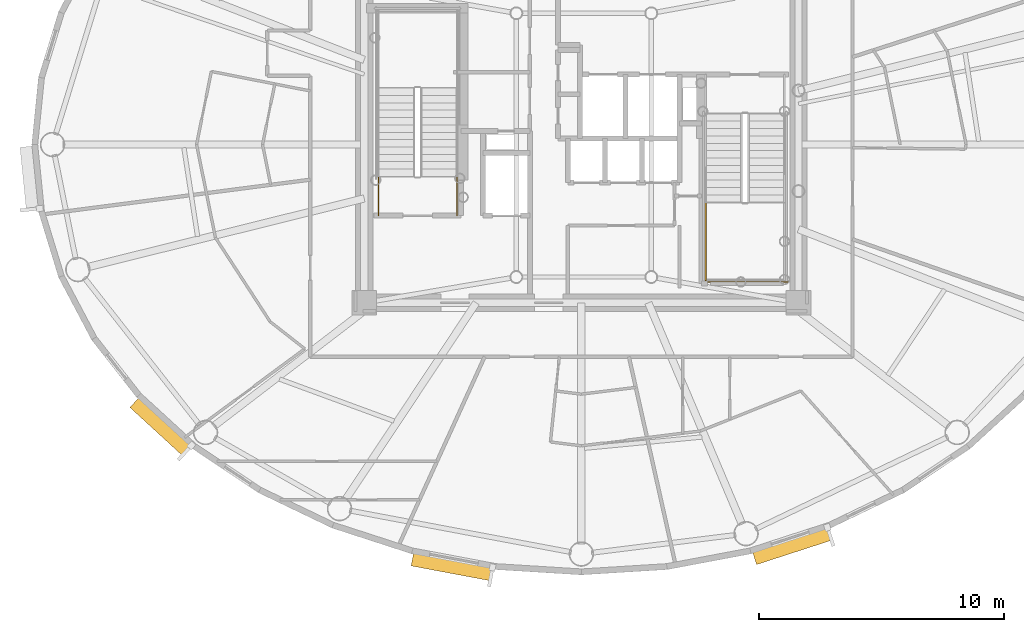
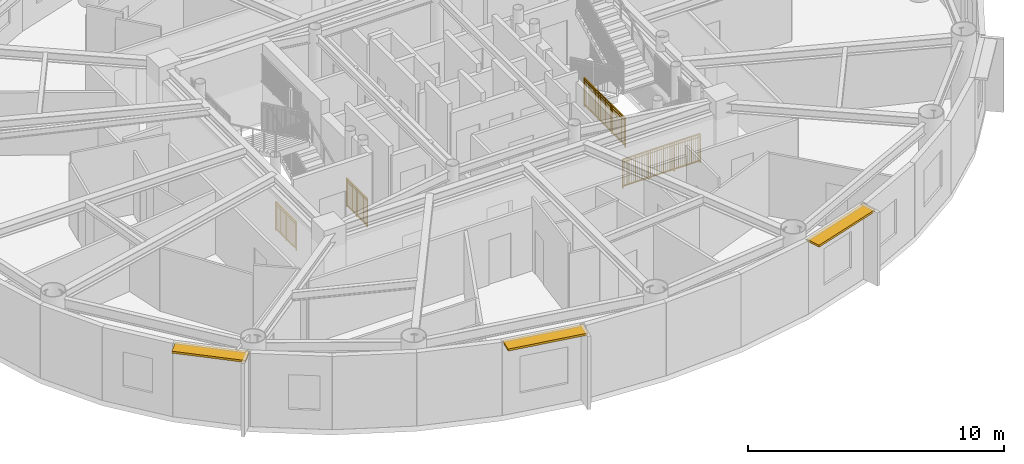
# One storey, part 11 of 17: 4 railings, 3 shading devices.
"""IFC4 building model written with IfcOpenShell, lengths in metres."""

from ifc_helpers import new_model, si_unit, direction, frame, origin, origin_2d, place, context, subcontext, project, spatial, rectangle, extrude, source, transform, mapped, material, layer, layer_set, type_object, element, save


model = new_model("IFC4")

# Units and contexts
model_context = context("Model", 3, precision=1e-05, world=origin(), true_north=direction((0.0, 1.0)))
body_context = subcontext(model_context, "Body", "Model", "MODEL_VIEW")
ifc_project = project(units=[si_unit("LENGTHUNIT", "METRE"), si_unit("AREAUNIT", "SQUARE_METRE"), si_unit("VOLUMEUNIT", "CUBIC_METRE"), si_unit("PLANEANGLEUNIT", "RADIAN"), si_unit("MASSUNIT", "GRAM", prefix="KILO")], contexts=[model_context])

# Site, building, storey
site_placement = place(None, origin())
site = spatial("IfcSite", under=ifc_project, at=site_placement, CompositionType="ELEMENT")
building_placement = place(site_placement, origin())
building = spatial("IfcBuilding", under=site, at=building_placement, Name="Linh Dai School and Residence Tower", CompositionType="ELEMENT")
storey_placement = place(building_placement, frame((0.0, 0.0, 299.25)))
storey = spatial("IfcBuildingStorey", under=building, at=storey_placement, Name="L74", CompositionType="ELEMENT", Elevation=299.25)

# Shading devices
ifc_material_1 = material(Name="Terracotta Ceramic Sunshade", Category="masonry")
ifc_layer = layer(ifc_material_1, 0.10009765625)
ifc_layer_set = layer_set([ifc_layer], Name="Terracotta Ceramic Sunshade")
shading_device_type = type_object("IfcShadingDeviceType", Name="SHD-TC-650", PredefinedType="USERDEFINED", material=ifc_layer_set)
shared_shape_1 = source(origin(), body_context, "Body", "SweptSolid", [
    extrude(rectangle(XDim=2.9541015625, YDim=0.64990234375, at=origin_2d()), origin(), (0.0, 0.0, 1.0), 0.10009765625),
])
shading_device_1_placement = place(storey_placement, frame((18.9111328125, 15.525390625, 3.3798828125), z_axis=(0.0, 0.0, 1.0), x_axis=(-0.737104227651, 0.675779074535, 0.0)))
element("IfcShadingDevice", 1, at=shading_device_1_placement, inside=storey, type_object=shading_device_type, Name="L74 Terracotta Horizontal Sunshade Band 25", ObjectType="SUNSHADE", PredefinedType="USERDEFINED", context=body_context, shape_type="MappedRepresentation", body=[
    mapped(shared_shape_1, transform((0.0, 0.0, 0.0), x_axis=(1.0, 0.0, 0.0), y_axis=(0.0, 1.0, 0.0), z_axis=(0.0, 0.0, 1.0), scale=1.0)),
])
shared_shape_2 = source(origin(), body_context, "Body", "SweptSolid", [
    extrude(rectangle(XDim=3.323486328125, YDim=0.64990234375, at=origin_2d()), origin(), (0.0, 0.0, 1.0), 0.10009765625),
])
shading_device_2_placement = place(storey_placement, frame((30.75732421875, 9.839599609375, 3.3798828125), z_axis=(0.0, 0.0, 1.0), x_axis=(-0.982785325002, 0.184751197452, 0.0)))
element("IfcShadingDevice", 2, at=shading_device_2_placement, inside=storey, type_object=shading_device_type, Name="L74 Terracotta Horizontal Sunshade Band 29", ObjectType="SUNSHADE", PredefinedType="USERDEFINED", context=body_context, shape_type="MappedRepresentation", body=[
    mapped(shared_shape_2, transform((0.0, 0.0, 0.0), x_axis=(1.0, 0.0, 0.0), y_axis=(0.0, 1.0, 0.0), z_axis=(0.0, 0.0, 1.0), scale=1.0)),
])
shared_shape_3 = source(origin(), body_context, "Body", "SweptSolid", [
    extrude(rectangle(XDim=3.26171875, YDim=0.64990234375, at=origin_2d()), origin(), (0.0, 0.0, 1.0), 0.10009765625),
])
shading_device_3_placement = place(storey_placement, frame((44.594970703125, 10.692626953125, 3.3798828125), z_axis=(0.0, 0.0, 1.0), x_axis=(-0.951218243545, -0.308518805176, 0.0)))
element("IfcShadingDevice", 3, at=shading_device_3_placement, inside=storey, type_object=shading_device_type, Name="L74 Terracotta Horizontal Sunshade Band 33", ObjectType="SUNSHADE", PredefinedType="USERDEFINED", context=body_context, shape_type="MappedRepresentation", body=[
    mapped(shared_shape_3, transform((0.0, 0.0, 0.0), x_axis=(1.0, 0.0, 0.0), y_axis=(0.0, 1.0, 0.0), z_axis=(0.0, 0.0, 1.0), scale=1.0)),
])

# Railings
ifc_material_2 = material(Name="Structural Steel S355JR", Category="steel")
railing_type = type_object("IfcRailingType", Name="RL-ST-GUARD-1400", PredefinedType="GUARDRAIL", material=ifc_material_2)
shared_shape_4 = source(origin(), body_context, "Body", "SweptSolid", [
    extrude(rectangle(XDim=0.048095703125, YDim=0.048095703125, at=origin_2d()), frame((0.0, 0.0, 1.3759765625), z_axis=(0.0, 1.0, 0.0), x_axis=(-1.0, 0.0, 0.0)), (0.0, 0.0, 1.0), 1.599853515625),
    extrude(rectangle(XDim=0.048095703125, YDim=0.048095703125, at=origin_2d()), frame((0.0, 0.0, 0.10009765625), z_axis=(0.0, 1.0, 0.0), x_axis=(-1.0, 0.0, 0.0)), (0.0, 0.0, 1.0), 1.599853515625),
    extrude(rectangle(XDim=0.030029296875, YDim=0.030029296875, at=origin_2d()), frame((0.0, 0.0, 1.239990234375), z_axis=(0.0, 1.0, 0.0), x_axis=(-1.0, 0.0, 0.0)), (0.0, 0.0, 1.0), 1.599853515625),
    extrude(rectangle(XDim=0.02001953125, YDim=0.02001953125, at=origin_2d()), frame((0.0, 0.093994140625, 0.10009765625)), (0.0, 0.0, 1.0), 1.251708984375),
    extrude(rectangle(XDim=0.02001953125, YDim=0.02001953125, at=origin_2d()), frame((0.0, 0.188232421875, 0.10009765625)), (0.0, 0.0, 1.0), 1.251708984375),
    extrude(rectangle(XDim=0.02001953125, YDim=0.02001953125, at=origin_2d()), frame((0.0, 0.2822265625, 0.10009765625)), (0.0, 0.0, 1.0), 1.251708984375),
    extrude(rectangle(XDim=0.02001953125, YDim=0.02001953125, at=origin_2d()), frame((0.0, 0.37646484375, 0.10009765625)), (0.0, 0.0, 1.0), 1.251708984375),
    extrude(rectangle(XDim=0.02001953125, YDim=0.02001953125, at=origin_2d()), frame((0.0, 0.470458984375, 0.10009765625)), (0.0, 0.0, 1.0), 1.251708984375),
    extrude(rectangle(XDim=0.02001953125, YDim=0.02001953125, at=origin_2d()), frame((0.0, 0.564697265625, 0.10009765625)), (0.0, 0.0, 1.0), 1.251708984375),
    extrude(rectangle(XDim=0.02001953125, YDim=0.02001953125, at=origin_2d()), frame((0.0, 0.65869140625, 0.10009765625)), (0.0, 0.0, 1.0), 1.251708984375),
    extrude(rectangle(XDim=0.02001953125, YDim=0.02001953125, at=origin_2d()), frame((0.0, 0.7529296875, 0.10009765625)), (0.0, 0.0, 1.0), 1.251708984375),
    extrude(rectangle(XDim=0.02001953125, YDim=0.02001953125, at=origin_2d()), frame((0.0, 0.846923828125, 0.10009765625)), (0.0, 0.0, 1.0), 1.251708984375),
    extrude(rectangle(XDim=0.02001953125, YDim=0.02001953125, at=origin_2d()), frame((0.0, 0.941162109375, 0.10009765625)), (0.0, 0.0, 1.0), 1.251708984375),
    extrude(rectangle(XDim=0.02001953125, YDim=0.02001953125, at=origin_2d()), frame((0.0, 1.03515625, 0.10009765625)), (0.0, 0.0, 1.0), 1.251708984375),
    extrude(rectangle(XDim=0.02001953125, YDim=0.02001953125, at=origin_2d()), frame((0.0, 1.12939453125, 0.10009765625)), (0.0, 0.0, 1.0), 1.251708984375),
    extrude(rectangle(XDim=0.02001953125, YDim=0.02001953125, at=origin_2d()), frame((0.0, 1.223388671875, 0.10009765625)), (0.0, 0.0, 1.0), 1.251708984375),
    extrude(rectangle(XDim=0.02001953125, YDim=0.02001953125, at=origin_2d()), frame((0.0, 1.317626953125, 0.10009765625)), (0.0, 0.0, 1.0), 1.251708984375),
    extrude(rectangle(XDim=0.02001953125, YDim=0.02001953125, at=origin_2d()), frame((0.0, 1.41162109375, 0.10009765625)), (0.0, 0.0, 1.0), 1.251708984375),
    extrude(rectangle(XDim=0.02001953125, YDim=0.02001953125, at=origin_2d()), frame((0.0, 1.505859375, 0.10009765625)), (0.0, 0.0, 1.0), 1.251708984375),
    extrude(rectangle(XDim=0.0419921875, YDim=0.0419921875, at=origin_2d()), origin(), (0.0, 0.0, 1.0), 1.3759765625),
    extrude(rectangle(XDim=0.0419921875, YDim=0.0419921875, at=origin_2d()), frame((0.0, 0.7998046875, 0.0)), (0.0, 0.0, 1.0), 1.3759765625),
    extrude(rectangle(XDim=0.0419921875, YDim=0.0419921875, at=origin_2d()), frame((0.0, 1.599853515625, 0.0)), (0.0, 0.0, 1.0), 1.3759765625),
])
for number, where, name in (
    (4, (30.929931640625, 24.10009765625, 0.0), "L74 ST1 stair guard 8"),
    (5, (27.72998046875, 24.10009765625, 0.0), "L74 ST1 stair guard 9"),
):
    element("IfcRailing", number, at=place(storey_placement, frame(where)), inside=storey, type_object=railing_type, Name=name, PredefinedType="GUARDRAIL", context=body_context, shape_type="MappedRepresentation", body=[
        mapped(shared_shape_4, transform((0.0, 0.0, 0.0), x_axis=(1.0, 0.0, 0.0), y_axis=(0.0, 1.0, 0.0), z_axis=(0.0, 0.0, 1.0), scale=1.0)),
    ])
shared_shape_5 = source(origin(), body_context, "Body", "SweptSolid", [
    extrude(rectangle(XDim=0.048095703125, YDim=0.048095703125, at=origin_2d()), frame((0.0, 0.0, 1.3759765625), z_axis=(1.0, 0.0, 0.0), x_axis=(0.0, 1.0, 0.0)), (0.0, 0.0, 1.0), 3.5),
    extrude(rectangle(XDim=0.048095703125, YDim=0.048095703125, at=origin_2d()), frame((0.0, 0.0, 0.10009765625), z_axis=(1.0, 0.0, 0.0), x_axis=(0.0, 1.0, 0.0)), (0.0, 0.0, 1.0), 3.5),
    extrude(rectangle(XDim=0.030029296875, YDim=0.030029296875, at=origin_2d()), frame((0.0, 0.0, 1.239990234375), z_axis=(1.0, 0.0, 0.0), x_axis=(0.0, 1.0, 0.0)), (0.0, 0.0, 1.0), 3.5),
    extrude(rectangle(XDim=0.02001953125, YDim=0.02001953125, at=origin_2d()), frame((0.09716796875, 0.0, 0.10009765625)), (0.0, 0.0, 1.0), 1.251708984375),
    extrude(rectangle(XDim=0.02001953125, YDim=0.02001953125, at=origin_2d()), frame((0.1943359375, 0.0, 0.10009765625)), (0.0, 0.0, 1.0), 1.251708984375),
    extrude(rectangle(XDim=0.02001953125, YDim=0.02001953125, at=origin_2d()), frame((0.291748046875, 0.0, 0.10009765625)), (0.0, 0.0, 1.0), 1.251708984375),
    extrude(rectangle(XDim=0.02001953125, YDim=0.02001953125, at=origin_2d()), frame((0.388916015625, 0.0, 0.10009765625)), (0.0, 0.0, 1.0), 1.251708984375),
    extrude(rectangle(XDim=0.02001953125, YDim=0.02001953125, at=origin_2d()), frame((0.486083984375, 0.0, 0.10009765625)), (0.0, 0.0, 1.0), 1.251708984375),
    extrude(rectangle(XDim=0.02001953125, YDim=0.02001953125, at=origin_2d()), frame((0.583251953125, 0.0, 0.10009765625)), (0.0, 0.0, 1.0), 1.251708984375),
    extrude(rectangle(XDim=0.02001953125, YDim=0.02001953125, at=origin_2d()), frame((0.6806640625, 0.0, 0.10009765625)), (0.0, 0.0, 1.0), 1.251708984375),
    extrude(rectangle(XDim=0.02001953125, YDim=0.02001953125, at=origin_2d()), frame((0.77783203125, 0.0, 0.10009765625)), (0.0, 0.0, 1.0), 1.251708984375),
    extrude(rectangle(XDim=0.02001953125, YDim=0.02001953125, at=origin_2d()), frame((0.875, 0.0, 0.10009765625)), (0.0, 0.0, 1.0), 1.251708984375),
    extrude(rectangle(XDim=0.02001953125, YDim=0.02001953125, at=origin_2d()), frame((0.97216796875, 0.0, 0.10009765625)), (0.0, 0.0, 1.0), 1.251708984375),
    extrude(rectangle(XDim=0.02001953125, YDim=0.02001953125, at=origin_2d()), frame((1.0693359375, 0.0, 0.10009765625)), (0.0, 0.0, 1.0), 1.251708984375),
    extrude(rectangle(XDim=0.02001953125, YDim=0.02001953125, at=origin_2d()), frame((1.263916015625, 0.0, 0.10009765625)), (0.0, 0.0, 1.0), 1.251708984375),
    extrude(rectangle(XDim=0.02001953125, YDim=0.02001953125, at=origin_2d()), frame((1.361083984375, 0.0, 0.10009765625)), (0.0, 0.0, 1.0), 1.251708984375),
    extrude(rectangle(XDim=0.02001953125, YDim=0.02001953125, at=origin_2d()), frame((1.458251953125, 0.0, 0.10009765625)), (0.0, 0.0, 1.0), 1.251708984375),
    extrude(rectangle(XDim=0.02001953125, YDim=0.02001953125, at=origin_2d()), frame((1.5556640625, 0.0, 0.10009765625)), (0.0, 0.0, 1.0), 1.251708984375),
    extrude(rectangle(XDim=0.02001953125, YDim=0.02001953125, at=origin_2d()), frame((1.65283203125, 0.0, 0.10009765625)), (0.0, 0.0, 1.0), 1.251708984375),
    extrude(rectangle(XDim=0.02001953125, YDim=0.02001953125, at=origin_2d()), frame((1.75, 0.0, 0.10009765625)), (0.0, 0.0, 1.0), 1.251708984375),
    extrude(rectangle(XDim=0.02001953125, YDim=0.02001953125, at=origin_2d()), frame((1.84716796875, 0.0, 0.10009765625)), (0.0, 0.0, 1.0), 1.251708984375),
    extrude(rectangle(XDim=0.02001953125, YDim=0.02001953125, at=origin_2d()), frame((1.9443359375, 0.0, 0.10009765625)), (0.0, 0.0, 1.0), 1.251708984375),
    extrude(rectangle(XDim=0.02001953125, YDim=0.02001953125, at=origin_2d()), frame((2.041748046875, 0.0, 0.10009765625)), (0.0, 0.0, 1.0), 1.251708984375),
    extrude(rectangle(XDim=0.02001953125, YDim=0.02001953125, at=origin_2d()), frame((2.138916015625, 0.0, 0.10009765625)), (0.0, 0.0, 1.0), 1.251708984375),
    extrude(rectangle(XDim=0.02001953125, YDim=0.02001953125, at=origin_2d()), frame((2.236083984375, 0.0, 0.10009765625)), (0.0, 0.0, 1.0), 1.251708984375),
    extrude(rectangle(XDim=0.02001953125, YDim=0.02001953125, at=origin_2d()), frame((2.4306640625, 0.0, 0.10009765625)), (0.0, 0.0, 1.0), 1.251708984375),
    extrude(rectangle(XDim=0.02001953125, YDim=0.02001953125, at=origin_2d()), frame((2.52783203125, 0.0, 0.10009765625)), (0.0, 0.0, 1.0), 1.251708984375),
    extrude(rectangle(XDim=0.02001953125, YDim=0.02001953125, at=origin_2d()), frame((2.625, 0.0, 0.10009765625)), (0.0, 0.0, 1.0), 1.251708984375),
    extrude(rectangle(XDim=0.02001953125, YDim=0.02001953125, at=origin_2d()), frame((2.72216796875, 0.0, 0.10009765625)), (0.0, 0.0, 1.0), 1.251708984375),
    extrude(rectangle(XDim=0.02001953125, YDim=0.02001953125, at=origin_2d()), frame((2.8193359375, 0.0, 0.10009765625)), (0.0, 0.0, 1.0), 1.251708984375),
    extrude(rectangle(XDim=0.02001953125, YDim=0.02001953125, at=origin_2d()), frame((2.916748046875, 0.0, 0.10009765625)), (0.0, 0.0, 1.0), 1.251708984375),
    extrude(rectangle(XDim=0.02001953125, YDim=0.02001953125, at=origin_2d()), frame((3.013916015625, 0.0, 0.10009765625)), (0.0, 0.0, 1.0), 1.251708984375),
    extrude(rectangle(XDim=0.02001953125, YDim=0.02001953125, at=origin_2d()), frame((3.111083984375, 0.0, 0.10009765625)), (0.0, 0.0, 1.0), 1.251708984375),
    extrude(rectangle(XDim=0.02001953125, YDim=0.02001953125, at=origin_2d()), frame((3.208251953125, 0.0, 0.10009765625)), (0.0, 0.0, 1.0), 1.251708984375),
    extrude(rectangle(XDim=0.02001953125, YDim=0.02001953125, at=origin_2d()), frame((3.3056640625, 0.0, 0.10009765625)), (0.0, 0.0, 1.0), 1.251708984375),
    extrude(rectangle(XDim=0.02001953125, YDim=0.02001953125, at=origin_2d()), frame((3.40283203125, 0.0, 0.10009765625)), (0.0, 0.0, 1.0), 1.251708984375),
    extrude(rectangle(XDim=0.0419921875, YDim=0.0419921875, at=origin_2d()), origin(), (0.0, 0.0, 1.0), 1.3759765625),
    extrude(rectangle(XDim=0.0419921875, YDim=0.0419921875, at=origin_2d()), frame((1.166748046875, 0.0, 0.0)), (0.0, 0.0, 1.0), 1.3759765625),
    extrude(rectangle(XDim=0.0419921875, YDim=0.0419921875, at=origin_2d()), frame((2.333251953125, 0.0, 0.0)), (0.0, 0.0, 1.0), 1.3759765625),
    extrude(rectangle(XDim=0.0419921875, YDim=0.0419921875, at=origin_2d()), frame((3.5, 0.0, 0.0)), (0.0, 0.0, 1.0), 1.3759765625),
])
railing_1_placement = place(storey_placement, frame((40.919921875, 21.39990234375, 0.0)))
element("IfcRailing", 6, at=railing_1_placement, inside=storey, type_object=railing_type, Name="L74 ST2 stair guard 12", PredefinedType="GUARDRAIL", context=body_context, shape_type="MappedRepresentation", body=[
    mapped(shared_shape_5, transform((0.0, 0.0, 0.0), x_axis=(1.0, 0.0, 0.0), y_axis=(0.0, 1.0, 0.0), z_axis=(0.0, 0.0, 1.0), scale=1.0)),
])
shared_shape_6 = source(origin(), body_context, "Body", "SweptSolid", [
    extrude(rectangle(XDim=0.048095703125, YDim=0.048095703125, at=origin_2d()), frame((0.0, 0.0, 1.3759765625), z_axis=(0.0, -1.0, 0.0), x_axis=(1.0, 0.0, 0.0)), (0.0, 0.0, 1.0), 3.199951171875),
    extrude(rectangle(XDim=0.048095703125, YDim=0.048095703125, at=origin_2d()), frame((0.0, 0.0, 0.10009765625), z_axis=(0.0, -1.0, 0.0), x_axis=(1.0, 0.0, 0.0)), (0.0, 0.0, 1.0), 3.199951171875),
    extrude(rectangle(XDim=0.030029296875, YDim=0.030029296875, at=origin_2d()), frame((0.0, 0.0, 1.239990234375), z_axis=(0.0, -1.0, 0.0), x_axis=(1.0, 0.0, 0.0)), (0.0, 0.0, 1.0), 3.199951171875),
    extrude(rectangle(XDim=0.02001953125, YDim=0.02001953125, at=origin_2d()), frame((0.0, -0.096923828125, 0.10009765625)), (0.0, 0.0, 1.0), 1.251708984375),
    extrude(rectangle(XDim=0.02001953125, YDim=0.02001953125, at=origin_2d()), frame((0.0, -0.19384765625, 0.10009765625)), (0.0, 0.0, 1.0), 1.251708984375),
    extrude(rectangle(XDim=0.02001953125, YDim=0.02001953125, at=origin_2d()), frame((0.0, -0.291015625, 0.10009765625)), (0.0, 0.0, 1.0), 1.251708984375),
    extrude(rectangle(XDim=0.02001953125, YDim=0.02001953125, at=origin_2d()), frame((0.0, -0.387939453125, 0.10009765625)), (0.0, 0.0, 1.0), 1.251708984375),
    extrude(rectangle(XDim=0.02001953125, YDim=0.02001953125, at=origin_2d()), frame((0.0, -0.48486328125, 0.10009765625)), (0.0, 0.0, 1.0), 1.251708984375),
    extrude(rectangle(XDim=0.02001953125, YDim=0.02001953125, at=origin_2d()), frame((0.0, -0.581787109375, 0.10009765625)), (0.0, 0.0, 1.0), 1.251708984375),
    extrude(rectangle(XDim=0.02001953125, YDim=0.02001953125, at=origin_2d()), frame((0.0, -0.6787109375, 0.10009765625)), (0.0, 0.0, 1.0), 1.251708984375),
    extrude(rectangle(XDim=0.02001953125, YDim=0.02001953125, at=origin_2d()), frame((0.0, -0.775634765625, 0.10009765625)), (0.0, 0.0, 1.0), 1.251708984375),
    extrude(rectangle(XDim=0.02001953125, YDim=0.02001953125, at=origin_2d()), frame((0.0, -0.872802734375, 0.10009765625)), (0.0, 0.0, 1.0), 1.251708984375),
    extrude(rectangle(XDim=0.02001953125, YDim=0.02001953125, at=origin_2d()), frame((0.0, -0.9697265625, 0.10009765625)), (0.0, 0.0, 1.0), 1.251708984375),
    extrude(rectangle(XDim=0.02001953125, YDim=0.02001953125, at=origin_2d()), frame((0.0, -1.16357421875, 0.10009765625)), (0.0, 0.0, 1.0), 1.251708984375),
    extrude(rectangle(XDim=0.02001953125, YDim=0.02001953125, at=origin_2d()), frame((0.0, -1.260498046875, 0.10009765625)), (0.0, 0.0, 1.0), 1.251708984375),
    extrude(rectangle(XDim=0.02001953125, YDim=0.02001953125, at=origin_2d()), frame((0.0, -1.357666015625, 0.10009765625)), (0.0, 0.0, 1.0), 1.251708984375),
    extrude(rectangle(XDim=0.02001953125, YDim=0.02001953125, at=origin_2d()), frame((0.0, -1.45458984375, 0.10009765625)), (0.0, 0.0, 1.0), 1.251708984375),
    extrude(rectangle(XDim=0.02001953125, YDim=0.02001953125, at=origin_2d()), frame((0.0, -1.551513671875, 0.10009765625)), (0.0, 0.0, 1.0), 1.251708984375),
    extrude(rectangle(XDim=0.02001953125, YDim=0.02001953125, at=origin_2d()), frame((0.0, -1.6484375, 0.10009765625)), (0.0, 0.0, 1.0), 1.251708984375),
    extrude(rectangle(XDim=0.02001953125, YDim=0.02001953125, at=origin_2d()), frame((0.0, -1.745361328125, 0.10009765625)), (0.0, 0.0, 1.0), 1.251708984375),
    extrude(rectangle(XDim=0.02001953125, YDim=0.02001953125, at=origin_2d()), frame((0.0, -1.84228515625, 0.10009765625)), (0.0, 0.0, 1.0), 1.251708984375),
    extrude(rectangle(XDim=0.02001953125, YDim=0.02001953125, at=origin_2d()), frame((0.0, -1.939453125, 0.10009765625)), (0.0, 0.0, 1.0), 1.251708984375),
    extrude(rectangle(XDim=0.02001953125, YDim=0.02001953125, at=origin_2d()), frame((0.0, -2.036376953125, 0.10009765625)), (0.0, 0.0, 1.0), 1.251708984375),
    extrude(rectangle(XDim=0.02001953125, YDim=0.02001953125, at=origin_2d()), frame((0.0, -2.230224609375, 0.10009765625)), (0.0, 0.0, 1.0), 1.251708984375),
    extrude(rectangle(XDim=0.02001953125, YDim=0.02001953125, at=origin_2d()), frame((0.0, -2.3271484375, 0.10009765625)), (0.0, 0.0, 1.0), 1.251708984375),
    extrude(rectangle(XDim=0.02001953125, YDim=0.02001953125, at=origin_2d()), frame((0.0, -2.42431640625, 0.10009765625)), (0.0, 0.0, 1.0), 1.251708984375),
    extrude(rectangle(XDim=0.02001953125, YDim=0.02001953125, at=origin_2d()), frame((0.0, -2.521240234375, 0.10009765625)), (0.0, 0.0, 1.0), 1.251708984375),
    extrude(rectangle(XDim=0.02001953125, YDim=0.02001953125, at=origin_2d()), frame((0.0, -2.6181640625, 0.10009765625)), (0.0, 0.0, 1.0), 1.251708984375),
    extrude(rectangle(XDim=0.02001953125, YDim=0.02001953125, at=origin_2d()), frame((0.0, -2.715087890625, 0.10009765625)), (0.0, 0.0, 1.0), 1.251708984375),
    extrude(rectangle(XDim=0.02001953125, YDim=0.02001953125, at=origin_2d()), frame((0.0, -2.81201171875, 0.10009765625)), (0.0, 0.0, 1.0), 1.251708984375),
    extrude(rectangle(XDim=0.02001953125, YDim=0.02001953125, at=origin_2d()), frame((0.0, -2.908935546875, 0.10009765625)), (0.0, 0.0, 1.0), 1.251708984375),
    extrude(rectangle(XDim=0.02001953125, YDim=0.02001953125, at=origin_2d()), frame((0.0, -3.006103515625, 0.10009765625)), (0.0, 0.0, 1.0), 1.251708984375),
    extrude(rectangle(XDim=0.02001953125, YDim=0.02001953125, at=origin_2d()), frame((0.0, -3.10302734375, 0.10009765625)), (0.0, 0.0, 1.0), 1.251708984375),
    extrude(rectangle(XDim=0.0419921875, YDim=0.0419921875, at=origin_2d()), origin(), (0.0, 0.0, 1.0), 1.3759765625),
    extrude(rectangle(XDim=0.0419921875, YDim=0.0419921875, at=origin_2d()), frame((0.0, -1.066650390625, 0.0)), (0.0, 0.0, 1.0), 1.3759765625),
    extrude(rectangle(XDim=0.0419921875, YDim=0.0419921875, at=origin_2d()), frame((0.0, -2.13330078125, 0.0)), (0.0, 0.0, 1.0), 1.3759765625),
    extrude(rectangle(XDim=0.0419921875, YDim=0.0419921875, at=origin_2d()), frame((0.0, -3.199951171875, 0.0)), (0.0, 0.0, 1.0), 1.3759765625),
])
railing_2_placement = place(storey_placement, frame((41.070068359375, 24.64990234375, 1.875)))
element("IfcRailing", 7, at=railing_2_placement, inside=storey, type_object=railing_type, Name="L74 ST2 stair guard 3", PredefinedType="GUARDRAIL", context=body_context, shape_type="MappedRepresentation", body=[
    mapped(shared_shape_6, transform((0.0, 0.0, 0.0), x_axis=(1.0, 0.0, 0.0), y_axis=(0.0, 1.0, 0.0), z_axis=(0.0, 0.0, 1.0), scale=1.0)),
])

save(model, "model.ifc")
